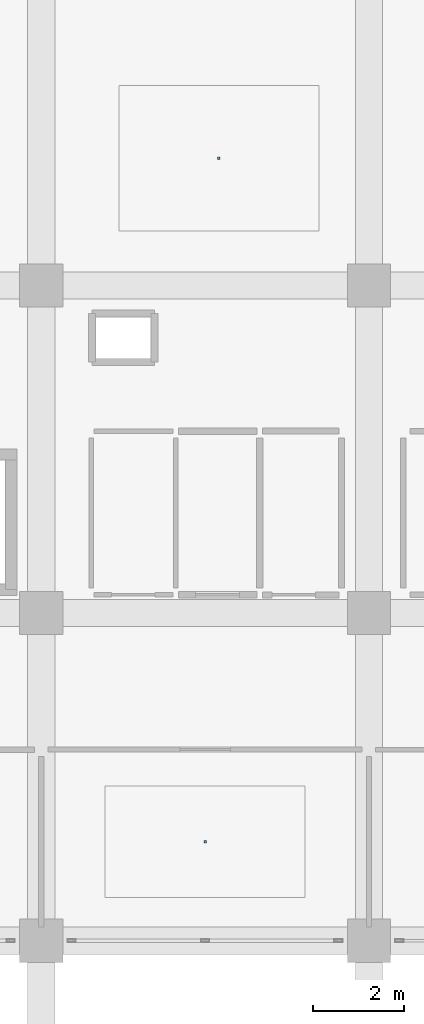
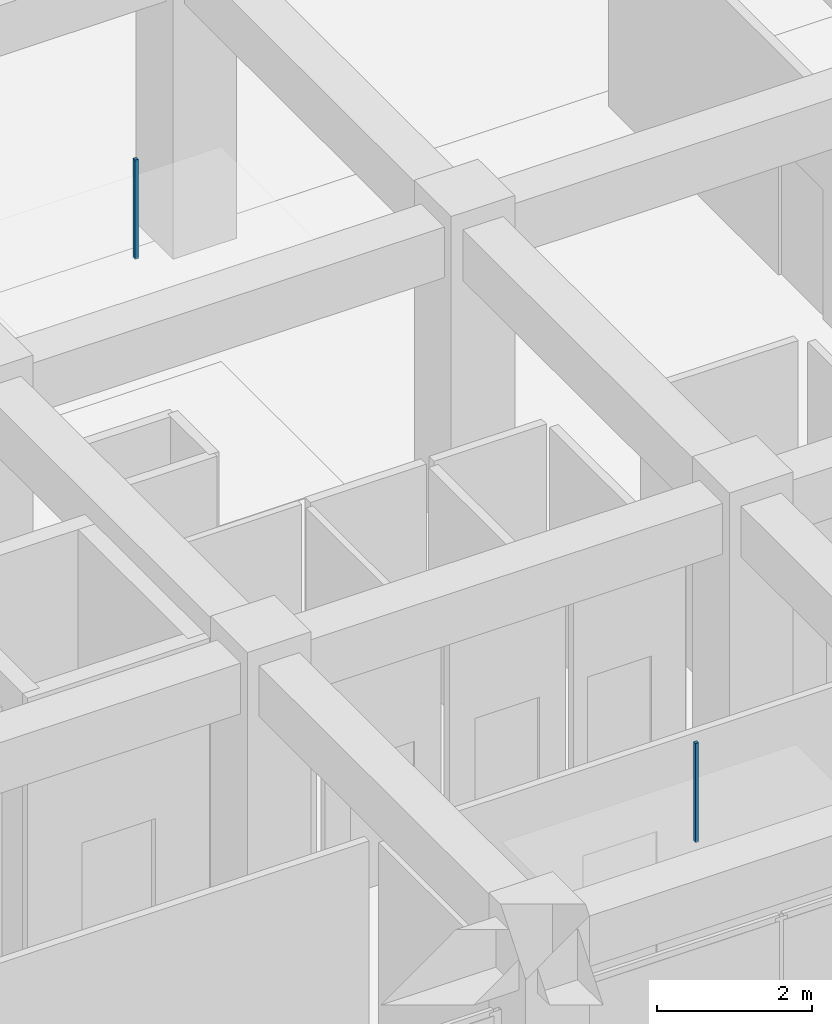
# One storey, part 41 of 54: 2 discrete accessories.
"""IFC4 building model written with IfcOpenShell, lengths in metres."""

from ifc_helpers import new_model, si_unit, direction, frame, origin, origin_2d, place, context, subcontext, project, spatial, rectangle, extrude, material, type_object, element, save


model = new_model("IFC4")

# Units and contexts
model_context = context("Model", 3, precision=1e-05, world=origin(), true_north=direction((0.0, 1.0)))
body_context = subcontext(model_context, "Body", "Model", "MODEL_VIEW")
ifc_project = project(units=[si_unit("LENGTHUNIT", "METRE"), si_unit("AREAUNIT", "SQUARE_METRE"), si_unit("VOLUMEUNIT", "CUBIC_METRE"), si_unit("PLANEANGLEUNIT", "RADIAN"), si_unit("MASSUNIT", "GRAM", prefix="KILO")], contexts=[model_context])

# Site, building, storey
site_placement = place(None, origin())
site = spatial("IfcSite", under=ifc_project, at=site_placement, CompositionType="ELEMENT")
building_placement = place(site_placement, origin())
building = spatial("IfcBuilding", under=site, at=building_placement, Name="Kazehaya Institute of Natural Sciences", CompositionType="ELEMENT")
storey_placement = place(building_placement, frame((0.0, 0.0, 5.39990234375)))
storey = spatial("IfcBuildingStorey", under=building, at=storey_placement, Name="L01", CompositionType="ELEMENT", Elevation=5.39990234375)

# Discrete accessories
ifc_material = material(Name="Structural steel SN490B", Category="steel")
discrete_accessory_type = type_object("IfcDiscreteAccessoryType", Name="ACC-CLG-HGR", PredefinedType="BRACKET", material=ifc_material)
for number, where, z_axis, x_axis, name in (
    (1, (87.0, 16.175048828125, 3.392578125), (0.0, 0.0, 1.0), (1.0, 0.0, 0.0), "L01 ceiling suspension hanger 15"),
    (2, (87.302001953125, 31.19580078125, 3.392578125), (0.0, 0.0, 1.0), (1.0, 0.0, 0.0), "L01 ceiling suspension hanger 16"),
):
    element("IfcDiscreteAccessory", number, at=place(storey_placement, frame(where, z_axis=z_axis, x_axis=x_axis)), inside=storey, type_object=discrete_accessory_type, Name=name, PredefinedType="BRACKET", context=body_context, shape_type="SweptSolid", body=[
        extrude(rectangle(XDim=0.050048828125, YDim=0.050048828125, at=origin_2d()), origin(), (0.0, 0.0, 1.0), 1.5673828125),
    ])

save(model, "model.ifc")
